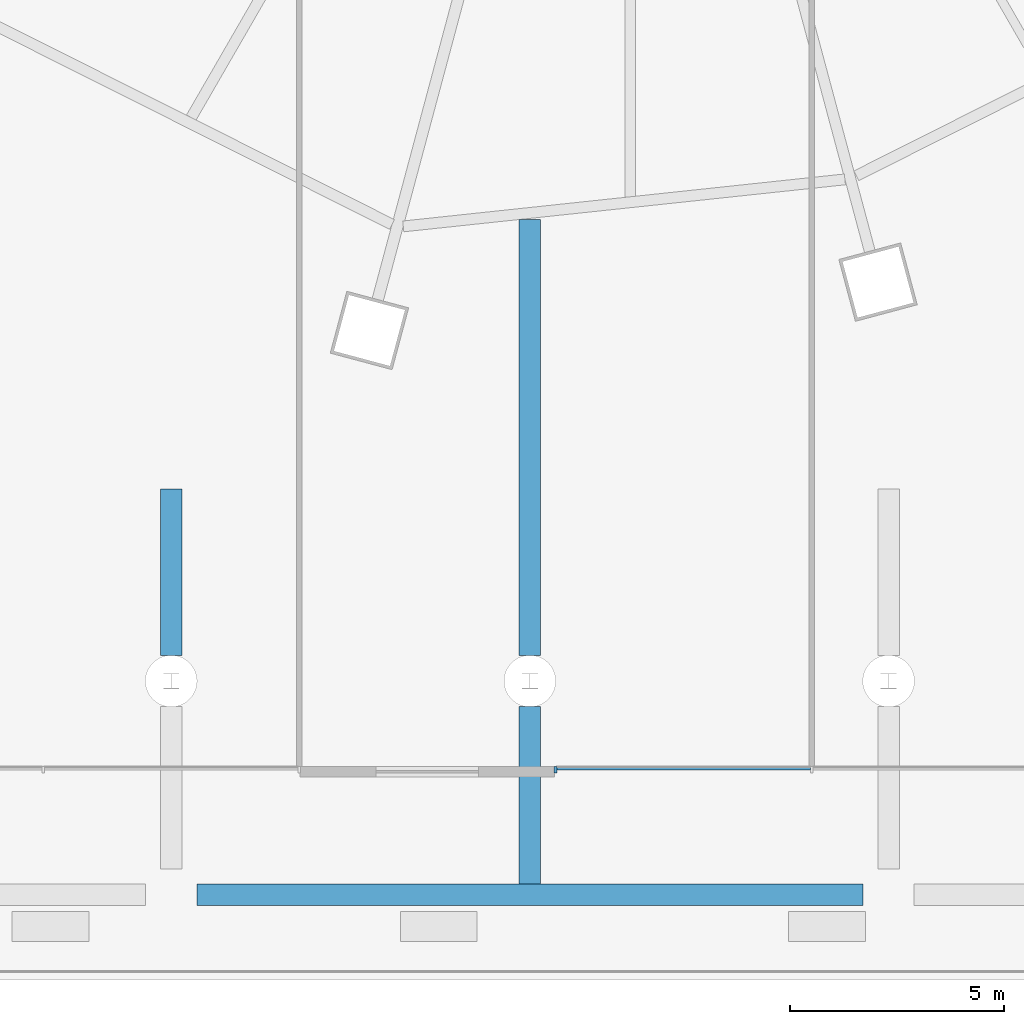
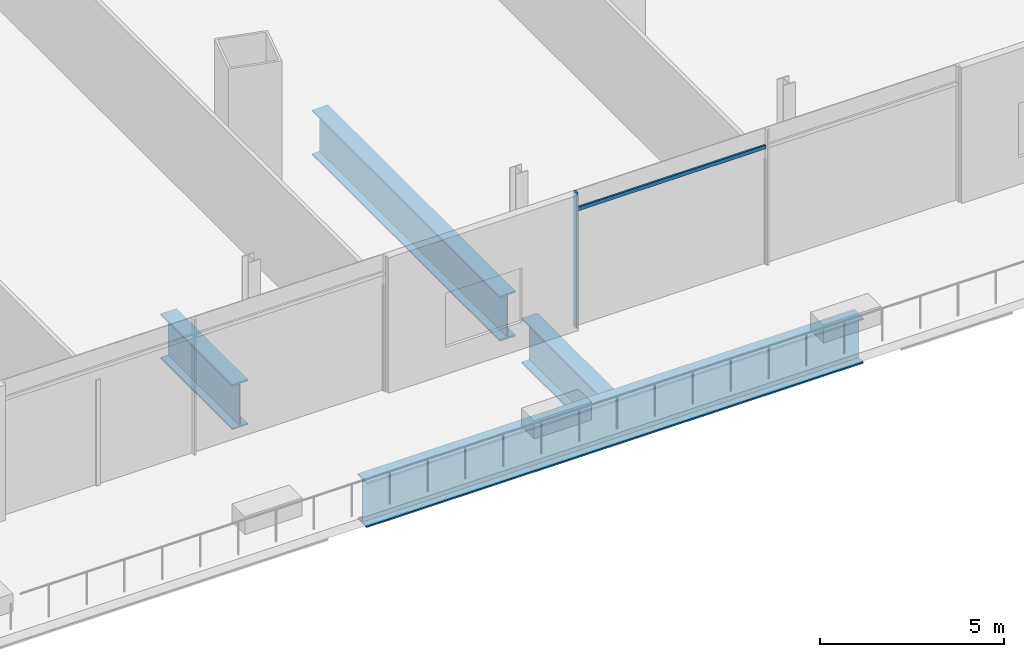
# One storey, part 21 of 56: 4 beams, 2 members, 1 element without a shape of its own.
"""IFC4 building model written with IfcOpenShell, lengths in metres."""

from ifc_helpers import new_model, si_unit, direction, frame, origin, origin_2d, place, context, subcontext, project, spatial, rectangle, i_section, extrude, material, material_profile, profile_set, type_object, element, aggregate, save


model = new_model("IFC4")

# Units and contexts
model_context = context("Model", 3, precision=1e-05, world=origin(), true_north=direction((0.0, 1.0)))
body_context = subcontext(model_context, "Body", "Model", "MODEL_VIEW")
ifc_project = project(units=[si_unit("LENGTHUNIT", "METRE"), si_unit("AREAUNIT", "SQUARE_METRE"), si_unit("VOLUMEUNIT", "CUBIC_METRE"), si_unit("PLANEANGLEUNIT", "RADIAN"), si_unit("MASSUNIT", "GRAM", prefix="KILO")], contexts=[model_context])

# Site, building, storey
site_placement = place(None, origin())
site = spatial("IfcSite", under=ifc_project, at=site_placement, CompositionType="ELEMENT")
building_placement = place(site_placement, origin())
building = spatial("IfcBuilding", under=site, at=building_placement, Name="Rimbun Link Towers", CompositionType="ELEMENT")
storey_placement = place(building_placement, frame((0.0, 0.0, 16.5)))
storey = spatial("IfcBuildingStorey", under=building, at=storey_placement, Name="L03", CompositionType="ELEMENT", Elevation=16.5)

# Curtain wall, members
ifc_material_1 = material(Name="Aluminium 6063-T6 and low-iron glass", Category="aluminium")
curtain_wall_type = type_object("IfcCurtainWallType", Name="CW3 podium shopfront", PredefinedType="NOTDEFINED", material=ifc_material_1)
curtain_wall_placement = place(storey_placement, origin())
curtain_wall = element("IfcCurtainWall", 1, at=curtain_wall_placement, inside=storey, type_object=curtain_wall_type, Name="CW3 L03 PD", PredefinedType="NOTDEFINED")
ifc_material_2 = material(Name="Aluminium 6063-T6", Category="aluminium")
ifc_material_profile_1 = material_profile(ifc_material_2, rectangle(XDim=0.14990234375, YDim=0.06005859375, at=origin_2d()), Name="MULLION 60X150")
ifc_profile_set_1 = profile_set([ifc_material_profile_1], Name="Aluminium 6063-T6")
member_type_1 = type_object("IfcMemberType", Name="CW3 mullion 60X150", PredefinedType="MULLION", material=ifc_profile_set_1)
member_1_placement = place(storey_placement, frame((30.0, -33.074951171875, 0.0), z_axis=(0.0, 0.0, 1.0), x_axis=(0.0, -1.0, 0.0)))
member_1 = element("IfcMember", 2, at=member_1_placement, type_object=member_type_1, Name="CW3 mullion", PredefinedType="MULLION", context=body_context, shape_type="SweptSolid", body=[
    extrude(rectangle(XDim=0.14990234375, YDim=0.06005859375, at=origin_2d()), origin(), (0.0, 0.0, 1.0), 4.5),
])
ifc_material_3 = material(Name="Aluminium 6063-T6", Category="aluminium")
ifc_material_profile_2 = material_profile(ifc_material_3, rectangle(XDim=0.06005859375, YDim=0.1201171875, at=origin_2d()), Name="TRANSOM 60X120")
ifc_profile_set_2 = profile_set([ifc_material_profile_2], Name="Aluminium 6063-T6")
member_type_2 = type_object("IfcMemberType", Name="CW3 transom 60X120", PredefinedType="USERDEFINED", material=ifc_profile_set_2)
member_2_placement = place(storey_placement, frame((35.969970703125, -33.053955078125, 3.89990234375), z_axis=(-1.0, 0.0, 0.0), x_axis=(0.0, -1.0, 0.0)))
member_2 = element("IfcMember", 3, at=member_2_placement, type_object=member_type_2, Name="CW3 transom", ObjectType="TRANSOM", PredefinedType="USERDEFINED", context=body_context, shape_type="SweptSolid", body=[
    extrude(rectangle(XDim=0.06005859375, YDim=0.1201171875, at=origin_2d()), origin(), (0.0, 0.0, 1.0), 5.93994140625),
])
aggregate(curtain_wall, [member_1, member_2])

# Beams
ifc_material_4 = material(Name="Steel S355J2", Category="steel")
ifc_material_profile_3 = material_profile(ifc_material_4, i_section(OverallWidth=0.5, OverallDepth=1.5, WebThickness=0.030029296875, FlangeThickness=0.050048828125, at=origin_2d()), Name="PG 1500x500x30/50")
ifc_profile_set_3 = profile_set([ifc_material_profile_3], Name="Steel S355J2")
beam_type = type_object("IfcBeamType", Name="PG 1500x500x30/50", PredefinedType="BEAM", material=ifc_profile_set_3)
beam_1_placement = place(storey_placement, frame((21.60009765625, -36.0, -1.050048828125), z_axis=(1.0, 0.0, 0.0), x_axis=(0.0, 1.0, 0.0)))
element("IfcBeam", 4, at=beam_1_placement, inside=storey, type_object=beam_type, Name="Grid beam L03 -36.0", PredefinedType="BEAM", context=body_context, shape_type="SweptSolid", body=[
    extrude(i_section(OverallWidth=0.5, OverallDepth=1.5, WebThickness=0.030029296875, FlangeThickness=0.050048828125, at=origin_2d()), origin(), (0.0, 0.0, 1.0), 15.599853515625),
])
beam_2_placement = place(storey_placement, frame((21.0, -30.39990234375, -1.050048828125), z_axis=(0.0, 1.0, 0.0), x_axis=(-1.0, 0.0, 0.0)))
element("IfcBeam", 5, at=beam_2_placement, inside=storey, type_object=beam_type, Name="Grid beam L03 +21.0", PredefinedType="BEAM", context=body_context, shape_type="SweptSolid", body=[
    extrude(i_section(OverallWidth=0.5, OverallDepth=1.5, WebThickness=0.030029296875, FlangeThickness=0.050048828125, at=origin_2d()), origin(), (0.0, 0.0, 1.0), 3.89990234375),
])
beam_3_placement = place(storey_placement, frame((29.39990234375, -35.75, -1.050048828125), z_axis=(0.0, 1.0, 0.0), x_axis=(-1.0, 0.0, 0.0)))
element("IfcBeam", 6, at=beam_3_placement, inside=storey, type_object=beam_type, Name="Grid beam L03 +29.4", PredefinedType="BEAM", context=body_context, shape_type="SweptSolid", body=[
    extrude(i_section(OverallWidth=0.5, OverallDepth=1.5, WebThickness=0.030029296875, FlangeThickness=0.050048828125, at=origin_2d()), origin(), (0.0, 0.0, 1.0), 4.14990234375),
])
beam_4_placement = place(storey_placement, frame((29.39990234375, -30.39990234375, -1.050048828125), z_axis=(0.0, 1.0, 0.0), x_axis=(-1.0, 0.0, 0.0)))
element("IfcBeam", 7, at=beam_4_placement, inside=storey, type_object=beam_type, Name="Grid beam L03 +29.4", PredefinedType="BEAM", context=body_context, shape_type="SweptSolid", body=[
    extrude(i_section(OverallWidth=0.5, OverallDepth=1.5, WebThickness=0.030029296875, FlangeThickness=0.050048828125, at=origin_2d()), origin(), (0.0, 0.0, 1.0), 10.207275390625),
])

save(model, "model.ifc")
